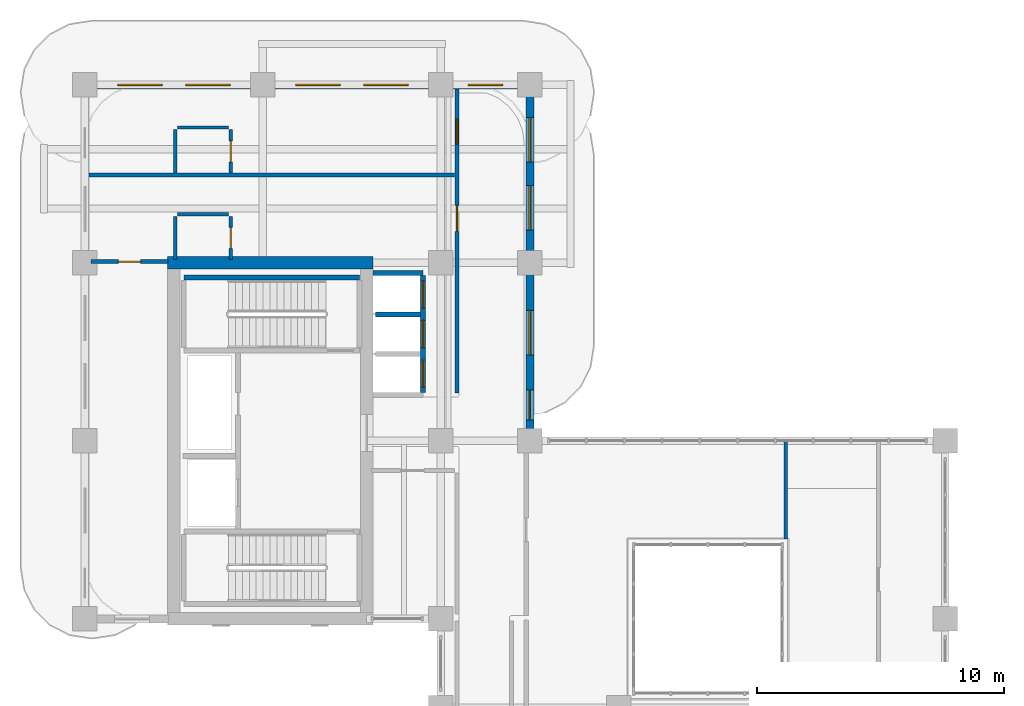
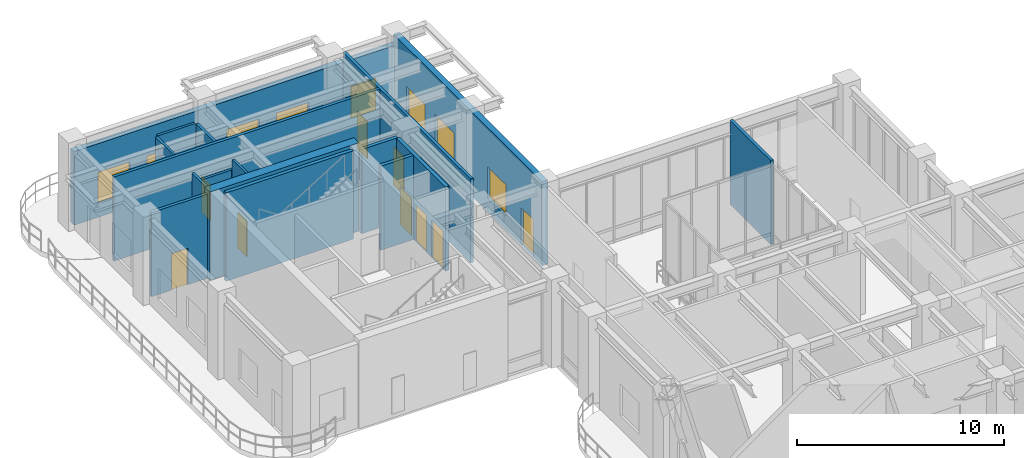
# One storey, part 15 of 21: 17 walls, 9 doors, 8 windows, 17 openings.
"""IFC4 building model written with IfcOpenShell, lengths in metres."""

from ifc_helpers import new_model, si_unit, derived_unit, direction, frame, frame_2d, origin, place, context, subcontext, project, spatial, rectangle, extrude, source, transform, mapped, material, layer, layer_set, type_object, type_shapes, element, fill, save


model = new_model("IFC4")

# Units and contexts
model_context = context("Model", 3, precision=1e-05, world=origin(), true_north=direction((0.0, 1.0)))
body_context = subcontext(model_context, "Body", "Model", "MODEL_VIEW")
ifc_project = project(units=[si_unit("LENGTHUNIT", "METRE"), si_unit("AREAUNIT", "SQUARE_METRE"), si_unit("VOLUMEUNIT", "CUBIC_METRE"), si_unit("PLANEANGLEUNIT", "RADIAN"), si_unit("MASSUNIT", "GRAM", prefix="KILO"), si_unit("THERMODYNAMICTEMPERATUREUNIT", "KELVIN"), si_unit("POWERUNIT", "WATT"), derived_unit("THERMALTRANSMITTANCEUNIT", [(si_unit("POWERUNIT", "WATT"), 1), (si_unit("AREAUNIT", "SQUARE_METRE"), -1), (si_unit("THERMODYNAMICTEMPERATUREUNIT", "KELVIN"), -1)])], contexts=[model_context])

# Site, building, storey
site_placement = place(None, origin())
site = spatial("IfcSite", under=ifc_project, at=site_placement, CompositionType="ELEMENT")
building_placement = place(site_placement, origin())
building = spatial("IfcBuilding", under=site, at=building_placement, Name="Zahravan Archway Hotel and Residences", CompositionType="ELEMENT")
storey_placement = place(building_placement, frame((0.0, 0.0, 145.10009765625)))
storey = spatial("IfcBuildingStorey", under=building, at=storey_placement, Name="L36", CompositionType="ELEMENT", Elevation=145.10009765625)

# Wall
ifc_material_1 = material(Name="Concrete C60/75", Category="concrete")
ifc_layer_1 = layer(ifc_material_1, 0.5, Name="Concrete C60/75", Category="concrete")
ifc_layer_set_1 = layer_set([ifc_layer_1], Name="Concrete C60/75")
wall_type_1 = type_object("IfcWallType", Name="CW-CORE-500", PredefinedType="SHEAR", material=ifc_layer_set_1)
wall_1_placement = place(storey_placement, frame((3.35009765625, 39.60009765625, 0.0), z_axis=(0.0, 0.0, 1.0), x_axis=(1.0, 0.0, 0.0)))
element("IfcWall", 1, at=wall_1_placement, inside=storey, type_object=wall_type_1, Name="L36 Core B Shear N Wall 500 mm", PredefinedType="SHEAR", context=body_context, shape_type="SweptSolid", body=[
    extrude(rectangle(XDim=8.2998046875, YDim=0.5, at=frame_2d((4.14990234375, 0.0))), origin(), (0.0, 0.0, 1.0), 5.199951171875),
])

# Wall, openings, windows
ifc_material_2 = material(Name="Agra Buff Sandstone & Insulated Backup", Category="masonry")
ifc_layer_2 = layer(ifc_material_2, 0.320068359375, Name="Agra Buff Sandstone & Insulated Backup", Category="masonry")
ifc_layer_set_2 = layer_set([ifc_layer_2], Name="Agra Buff Sandstone & Insulated Backup")
wall_type_2 = type_object("IfcWallType", Name="EW-SAND-320", PredefinedType="SOLIDWALL", material=ifc_layer_set_2)
wall_2_placement = place(storey_placement, frame((0.0, 46.800048828125, 0.0), z_axis=(0.0, 0.0, 1.0), x_axis=(1.0, 0.0, 0.0)))
wall_2 = element("IfcWall", 2, at=wall_2_placement, inside=storey, type_object=wall_type_2, Name="L36 Exterior Sandstone Wall WB-N", PredefinedType="SOLIDWALL", context=body_context, shape_type="SweptSolid", body=[
    extrude(rectangle(XDim=18.0, YDim=0.320068359375, at=frame_2d((9.0, 0.0))), origin(), (0.0, 0.0, 1.0), 4.3349609375),
])
opening_1_placement = place(wall_2_placement, frame((1.324951171875, 0.0, 0.800048828125)))
opening_1 = element("IfcOpeningElement", 3, at=opening_1_placement, cuts=wall_2, Name="Opening W-02", PredefinedType="OPENING", context=body_context, shape_type="SweptSolid", body=[
    extrude(rectangle(XDim=1.800048828125, YDim=1.85009765625, at=frame_2d((0.89990234375, 0.925048828125))), frame((0.0, 0.169921875, 0.0), z_axis=(0.0, -1.0, 0.0), x_axis=(1.0, 0.0, 0.0)), (0.0, 0.0, 1.0), 0.340087890625),
])
opening_2_placement = place(wall_2_placement, frame((4.074951171875, 0.0, 0.800048828125)))
opening_2 = element("IfcOpeningElement", 4, at=opening_2_placement, cuts=wall_2, Name="Opening W-02", PredefinedType="OPENING", context=body_context, shape_type="SweptSolid", body=[
    extrude(rectangle(XDim=1.800048828125, YDim=1.85009765625, at=frame_2d((0.89990234375, 0.925048828125))), frame((0.0, 0.169921875, 0.0), z_axis=(0.0, -1.0, 0.0), x_axis=(1.0, 0.0, 0.0)), (0.0, 0.0, 1.0), 0.340087890625),
])
opening_3_placement = place(wall_2_placement, frame((8.52490234375, 0.0, 0.800048828125)))
opening_3 = element("IfcOpeningElement", 5, at=opening_3_placement, cuts=wall_2, Name="Opening W-02", PredefinedType="OPENING", context=body_context, shape_type="SweptSolid", body=[
    extrude(rectangle(XDim=1.800048828125, YDim=1.85009765625, at=frame_2d((0.89990234375, 0.925048828125))), frame((0.0, 0.169921875, 0.0), z_axis=(0.0, -1.0, 0.0), x_axis=(1.0, 0.0, 0.0)), (0.0, 0.0, 1.0), 0.340087890625),
])
opening_4_placement = place(wall_2_placement, frame((11.27490234375, 0.0, 0.800048828125)))
opening_4 = element("IfcOpeningElement", 6, at=opening_4_placement, cuts=wall_2, Name="Opening W-02", PredefinedType="OPENING", context=body_context, shape_type="SweptSolid", body=[
    extrude(rectangle(XDim=1.800048828125, YDim=1.85009765625, at=frame_2d((0.89990234375, 0.925048828125))), frame((0.0, 0.169921875, 0.0), z_axis=(0.0, -1.0, 0.0), x_axis=(1.0, 0.0, 0.0)), (0.0, 0.0, 1.0), 0.340087890625),
])
opening_5_placement = place(wall_2_placement, frame((15.5, 0.0, 0.800048828125)))
opening_5 = element("IfcOpeningElement", 7, at=opening_5_placement, cuts=wall_2, Name="Opening W-03", PredefinedType="OPENING", context=body_context, shape_type="SweptSolid", body=[
    extrude(rectangle(XDim=1.39990234375, YDim=1.85009765625, at=frame_2d((0.699951171875, 0.925048828125))), frame((0.0, 0.169921875, 0.0), z_axis=(0.0, -1.0, 0.0), x_axis=(1.0, 0.0, 0.0)), (0.0, 0.0, 1.0), 0.340087890625),
])
ifc_material_3 = material(Name="Bronze-Anodized Thermal-Break Aluminium & Low-E Glass", Category="aluminium")
window_type_1 = type_object("IfcWindowType", Name="WIN-TWR-1400", PartitioningType="SINGLE_PANEL", PredefinedType="WINDOW", material=ifc_material_3)
shared_shape_1 = source(origin(), body_context, "Body", "SweptSolid", [
    extrude(rectangle(XDim=1.39990234375, YDim=1.85009765625, at=frame_2d((0.699951171875, 0.925048828125))), frame((0.0, 0.030029296875, 0.0), z_axis=(0.0, -1.0, 0.0), x_axis=(1.0, 0.0, 0.0)), (0.0, 0.0, 1.0), 0.06005859375),
])
type_shapes(window_type_1, [shared_shape_1])
window_1_placement = place(opening_5_placement, origin())
window_1 = element("IfcWindow", 8, at=window_1_placement, inside=storey, type_object=window_type_1, Name="L36 Loggia Window 29", OverallHeight=1.85009765625, OverallWidth=1.39990234375, PartitioningType="SINGLE_PANEL", PredefinedType="WINDOW", context=body_context, shape_type="MappedRepresentation", body=[
    mapped(shared_shape_1, transform((0.0, 0.0, 0.0), scale=1.0)),
])
fill(opening_5, window_1)
window_type_2 = type_object("IfcWindowType", Name="WIN-TWR-1800", PartitioningType="DOUBLE_PANEL_VERTICAL", PredefinedType="WINDOW", material=ifc_material_3)
shared_shape_2 = source(origin(), body_context, "Body", "SweptSolid", [
    extrude(rectangle(XDim=1.800048828125, YDim=1.85009765625, at=frame_2d((0.89990234375, 0.925048828125))), frame((0.0, 0.030029296875, 0.0), z_axis=(0.0, -1.0, 0.0), x_axis=(1.0, 0.0, 0.0)), (0.0, 0.0, 1.0), 0.06005859375),
])
type_shapes(window_type_2, [shared_shape_2])
window_2_placement = place(opening_1_placement, origin())
window_2 = element("IfcWindow", 9, at=window_2_placement, inside=storey, type_object=window_type_2, Name="L36 Loggia Window 25", OverallHeight=1.85009765625, OverallWidth=1.800048828125, PartitioningType="DOUBLE_PANEL_VERTICAL", PredefinedType="WINDOW", context=body_context, shape_type="MappedRepresentation", body=[
    mapped(shared_shape_2, transform((0.0, 0.0, 0.0), scale=1.0)),
])
fill(opening_1, window_2)
window_3_placement = place(opening_2_placement, origin())
window_3 = element("IfcWindow", 10, at=window_3_placement, inside=storey, type_object=window_type_2, Name="L36 Loggia Window 26", OverallHeight=1.85009765625, OverallWidth=1.800048828125, PartitioningType="DOUBLE_PANEL_VERTICAL", PredefinedType="WINDOW", context=body_context, shape_type="MappedRepresentation", body=[
    mapped(shared_shape_2, transform((0.0, 0.0, 0.0), scale=1.0)),
])
fill(opening_2, window_3)
window_4_placement = place(opening_3_placement, origin())
window_4 = element("IfcWindow", 11, at=window_4_placement, inside=storey, type_object=window_type_2, Name="L36 Loggia Window 27", OverallHeight=1.85009765625, OverallWidth=1.800048828125, PartitioningType="DOUBLE_PANEL_VERTICAL", PredefinedType="WINDOW", context=body_context, shape_type="MappedRepresentation", body=[
    mapped(shared_shape_2, transform((0.0, 0.0, 0.0), scale=1.0)),
])
fill(opening_3, window_4)
window_5_placement = place(opening_4_placement, origin())
window_5 = element("IfcWindow", 12, at=window_5_placement, inside=storey, type_object=window_type_2, Name="L36 Loggia Window 28", OverallHeight=1.85009765625, OverallWidth=1.800048828125, PartitioningType="DOUBLE_PANEL_VERTICAL", PredefinedType="WINDOW", context=body_context, shape_type="MappedRepresentation", body=[
    mapped(shared_shape_2, transform((0.0, 0.0, 0.0), scale=1.0)),
])
fill(opening_4, window_5)

# Wall, openings, door, windows
wall_3_placement = place(storey_placement, frame((18.0, 32.39990234375, 0.0), z_axis=(0.0, 0.0, 1.0), x_axis=(0.0, 1.0, 0.0)))
wall_3 = element("IfcWall", 13, at=wall_3_placement, inside=storey, type_object=wall_type_2, Name="L36 Exterior Sandstone Wall WB-EU", PredefinedType="SOLIDWALL", context=body_context, shape_type="SweptSolid", body=[
    extrude(rectangle(XDim=14.35009765625, YDim=0.320068359375, at=frame_2d((7.175048828125, 0.0))), origin(), (0.0, 0.0, 1.0), 4.949951171875),
])
opening_6_placement = place(wall_3_placement, frame((0.85009765625, 0.0, 0.0)))
opening_6 = element("IfcOpeningElement", 14, at=opening_6_placement, cuts=wall_3, Name="Opening ED-BL1", PredefinedType="OPENING", context=body_context, shape_type="SweptSolid", body=[
    extrude(rectangle(XDim=1.199951171875, YDim=2.199951171875, at=frame_2d((0.60009765625, 1.10009765625))), frame((0.0, 0.169921875, 0.0), z_axis=(0.0, -1.0, 0.0), x_axis=(1.0, 0.0, 0.0)), (0.0, 0.0, 1.0), 0.340087890625),
])
opening_7_placement = place(wall_3_placement, frame((3.47509765625, 0.0, 0.800048828125)))
opening_7 = element("IfcOpeningElement", 15, at=opening_7_placement, cuts=wall_3, Name="Opening W-02", PredefinedType="OPENING", context=body_context, shape_type="SweptSolid", body=[
    extrude(rectangle(XDim=1.800048828125, YDim=1.85009765625, at=frame_2d((0.89990234375, 0.925048828125))), frame((0.0, 0.169921875, 0.0), z_axis=(0.0, -1.0, 0.0), x_axis=(1.0, 0.0, 0.0)), (0.0, 0.0, 1.0), 0.340087890625),
])
opening_8_placement = place(wall_3_placement, frame((8.52490234375, 0.0, 0.800048828125)))
opening_8 = element("IfcOpeningElement", 16, at=opening_8_placement, cuts=wall_3, Name="Opening W-02", PredefinedType="OPENING", context=body_context, shape_type="SweptSolid", body=[
    extrude(rectangle(XDim=1.800048828125, YDim=1.85009765625, at=frame_2d((0.89990234375, 0.925048828125))), frame((0.0, 0.169921875, 0.0), z_axis=(0.0, -1.0, 0.0), x_axis=(1.0, 0.0, 0.0)), (0.0, 0.0, 1.0), 0.340087890625),
])
opening_9_placement = place(wall_3_placement, frame((11.27490234375, 0.0, 0.800048828125)))
opening_9 = element("IfcOpeningElement", 17, at=opening_9_placement, cuts=wall_3, Name="Opening W-02", PredefinedType="OPENING", context=body_context, shape_type="SweptSolid", body=[
    extrude(rectangle(XDim=1.800048828125, YDim=1.85009765625, at=frame_2d((0.89990234375, 0.925048828125))), frame((0.0, 0.169921875, 0.0), z_axis=(0.0, -1.0, 0.0), x_axis=(1.0, 0.0, 0.0)), (0.0, 0.0, 1.0), 0.340087890625),
])
ifc_material_4 = material(Name="Bronze-Anodized Glazed Aluminium", Category="aluminium")
door_type_1 = type_object("IfcDoorType", Name="ED-BALC-1200", OperationType="SLIDING_TO_LEFT", PredefinedType="DOOR", material=ifc_material_4)
shared_shape_3 = source(origin(), body_context, "Body", "SweptSolid", [
    extrude(rectangle(XDim=1.199951171875, YDim=2.199951171875, at=frame_2d((0.60009765625, 1.10009765625))), frame((0.0, 0.02490234375, 0.0), z_axis=(0.0, -1.0, 0.0), x_axis=(1.0, 0.0, 0.0)), (0.0, 0.0, 1.0), 0.050048828125),
])
type_shapes(door_type_1, [shared_shape_3])
door_1_placement = place(opening_6_placement, origin())
door_1 = element("IfcDoor", 18, at=door_1_placement, inside=storey, type_object=door_type_1, Name="L36 Outdoor Access Sliding Door (SLB-BAL-L36-EB)", OperationType="SLIDING_TO_LEFT", OverallHeight=2.199951171875, OverallWidth=1.199951171875, PredefinedType="DOOR", context=body_context, shape_type="MappedRepresentation", body=[
    mapped(shared_shape_3, transform((0.0, 0.0, 0.0), scale=1.0)),
])
fill(opening_6, door_1)
window_6_placement = place(opening_7_placement, origin())
window_6 = element("IfcWindow", 19, at=window_6_placement, inside=storey, type_object=window_type_2, Name="L36 Loggia Window 30", OverallHeight=1.85009765625, OverallWidth=1.800048828125, PartitioningType="DOUBLE_PANEL_VERTICAL", PredefinedType="WINDOW", context=body_context, shape_type="MappedRepresentation", body=[
    mapped(shared_shape_2, transform((0.0, 0.0, 0.0), scale=1.0)),
])
fill(opening_7, window_6)
window_7_placement = place(opening_8_placement, origin())
window_7 = element("IfcWindow", 20, at=window_7_placement, inside=storey, type_object=window_type_2, Name="L36 Loggia Window 31", OverallHeight=1.85009765625, OverallWidth=1.800048828125, PartitioningType="DOUBLE_PANEL_VERTICAL", PredefinedType="WINDOW", context=body_context, shape_type="MappedRepresentation", body=[
    mapped(shared_shape_2, transform((0.0, 0.0, 0.0), scale=1.0)),
])
fill(opening_8, window_7)
window_8_placement = place(opening_9_placement, origin())
window_8 = element("IfcWindow", 21, at=window_8_placement, inside=storey, type_object=window_type_2, Name="L36 Loggia Window 32", OverallHeight=1.85009765625, OverallWidth=1.800048828125, PartitioningType="DOUBLE_PANEL_VERTICAL", PredefinedType="WINDOW", context=body_context, shape_type="MappedRepresentation", body=[
    mapped(shared_shape_2, transform((0.0, 0.0, 0.0), scale=1.0)),
])
fill(opening_9, window_8)

# Wall, openings, doors
ifc_material_5 = material(Name="Fire-Rated Gypsum & Concrete Block", Category="concrete")
ifc_layer_3 = layer(ifc_material_5, 0.159912109375, Name="Fire-Rated Gypsum & Concrete Block", Category="concrete")
ifc_layer_set_3 = layer_set([ifc_layer_3], Name="Fire-Rated Gypsum & Concrete Block")
wall_type_3 = type_object("IfcWallType", Name="PW-CORR-160", PredefinedType="PARTITIONING", material=ifc_layer_set_3)
wall_4_placement = place(storey_placement, frame((15.050048828125, 34.340087890625, 0.0), z_axis=(0.0, 0.0, 1.0), x_axis=(0.0, 1.0, 0.0)))
wall_4 = element("IfcWall", 22, at=wall_4_placement, inside=storey, type_object=wall_type_3, Name="L36 Partition WBN-C", PredefinedType="PARTITIONING", context=body_context, shape_type="SweptSolid", body=[
    extrude(rectangle(XDim=12.2919921875, YDim=0.159912109375, at=frame_2d((6.14599609375, 0.0))), origin(), (0.0, 0.0, 1.0), 4.949951171875),
])
opening_10_placement = place(wall_4_placement, frame((6.534912109375, 0.0, 0.0)))
opening_10 = element("IfcOpeningElement", 23, at=opening_10_placement, cuts=wall_4, Name="Opening D-U1", PredefinedType="OPENING", context=body_context, shape_type="SweptSolid", body=[
    extrude(rectangle(XDim=1.050048828125, YDim=2.25, at=frame_2d((0.52490234375, 1.125))), frame((0.0, 0.08984375, 0.0), z_axis=(0.0, -1.0, 0.0), x_axis=(1.0, 0.0, 0.0)), (0.0, 0.0, 1.0), 0.179931640625),
])
opening_11_placement = place(wall_4_placement, frame((10.06005859375, 0.0, 0.0)))
opening_11 = element("IfcOpeningElement", 24, at=opening_11_placement, cuts=wall_4, Name="Opening D-U2", PredefinedType="OPENING", context=body_context, shape_type="SweptSolid", body=[
    extrude(rectangle(XDim=1.0, YDim=2.199951171875, at=frame_2d((0.5, 1.10009765625))), frame((0.0, 0.08984375, 0.0), z_axis=(0.0, -1.0, 0.0), x_axis=(1.0, 0.0, 0.0)), (0.0, 0.0, 1.0), 0.179931640625),
])
ifc_material_6 = material(Name="Hardwood Veneer Timber", Category="wood")
door_type_2 = type_object("IfcDoorType", Name="ID-UNIT-1050", OperationType="NOTDEFINED", PredefinedType="DOOR", material=ifc_material_6)
shared_shape_4 = source(origin(), body_context, "Body", "SweptSolid", [
    extrude(rectangle(XDim=1.050048828125, YDim=2.25, at=frame_2d((0.52490234375, 1.125))), frame((0.0, 0.02490234375, 0.0), z_axis=(0.0, -1.0, 0.0), x_axis=(1.0, 0.0, 0.0)), (0.0, 0.0, 1.0), 0.050048828125),
])
type_shapes(door_type_2, [shared_shape_4])
door_2_placement = place(opening_10_placement, origin())
door_2 = element("IfcDoor", 25, at=door_2_placement, inside=storey, type_object=door_type_2, Name="L36 Hotel Guestroom 76 Entrance Door", OperationType="SINGLE_SWING_RIGHT", OverallHeight=2.25, OverallWidth=1.050048828125, PredefinedType="DOOR", context=body_context, shape_type="MappedRepresentation", body=[
    mapped(shared_shape_4, transform((0.0, 0.0, 0.0), scale=1.0)),
])
fill(opening_10, door_2)
door_type_3 = type_object("IfcDoorType", Name="ID-UNIT-1000", OperationType="NOTDEFINED", PredefinedType="DOOR", material=ifc_material_6)
shared_shape_5 = source(origin(), body_context, "Body", "SweptSolid", [
    extrude(rectangle(XDim=1.0, YDim=2.199951171875, at=frame_2d((0.5, 1.10009765625))), frame((0.0, 0.02490234375, 0.0), z_axis=(0.0, -1.0, 0.0), x_axis=(1.0, 0.0, 0.0)), (0.0, 0.0, 1.0), 0.050048828125),
])
type_shapes(door_type_3, [shared_shape_5])
door_3_placement = place(opening_11_placement, origin())
door_3 = element("IfcDoor", 26, at=door_3_placement, inside=storey, type_object=door_type_3, Name="L36 Hotel Guestroom 77 Entrance Door", OperationType="SINGLE_SWING_LEFT", OverallHeight=2.199951171875, OverallWidth=1.0, PredefinedType="DOOR", context=body_context, shape_type="MappedRepresentation", body=[
    mapped(shared_shape_5, transform((0.0, 0.0, 0.0), scale=1.0)),
])
fill(opening_11, door_3)

# Walls
wall_5_placement = place(storey_placement, frame((28.35009765625, 28.43994140625, 0.0), z_axis=(0.0, 0.0, 1.0), x_axis=(0.0, 1.0, 0.0)))
element("IfcWall", 27, at=wall_5_placement, inside=storey, type_object=wall_type_3, Name="L36 Partition ATR-NWE", PredefinedType="PARTITIONING", context=body_context, shape_type="SweptSolid", body=[
    extrude(rectangle(XDim=3.93212890625, YDim=0.159912109375, at=frame_2d((1.966064453125, 0.0))), origin(), (0.0, 0.0, 1.0), 4.949951171875),
])
ifc_layer_4 = layer(ifc_material_5, 0.199951171875, Name="Fire-Rated Gypsum & Concrete Block", Category="concrete")
ifc_layer_set_4 = layer_set([ifc_layer_4], Name="Fire-Rated Gypsum & Concrete Block")
wall_type_4 = type_object("IfcWallType", Name="PW-SHAFT-200", PredefinedType="PARTITIONING", material=ifc_layer_set_4)
wall_6_placement = place(storey_placement, frame((11.659912109375, 39.18994140625, 0.0), z_axis=(0.0, 0.0, 1.0), x_axis=(1.0, 0.0, 0.0)))
element("IfcWall", 28, at=wall_6_placement, inside=storey, type_object=wall_type_4, Name="L36 Partition B2-N", PredefinedType="PARTITIONING", context=body_context, shape_type="SweptSolid", body=[
    extrude(rectangle(XDim=2.010009765625, YDim=0.199951171875, at=frame_2d((1.0048828125, 0.0))), origin(), (0.0, 0.0, 1.0), 4.949951171875),
])

# Wall, openings, doors
wall_7_placement = place(storey_placement, frame((13.679931640625, 34.360107421875, 0.0), z_axis=(0.0, 0.0, 1.0), x_axis=(0.0, 1.0, 0.0)))
wall_7 = element("IfcWall", 29, at=wall_7_placement, inside=storey, type_object=wall_type_4, Name="L36 Partition B2-E", PredefinedType="PARTITIONING", context=body_context, shape_type="SweptSolid", body=[
    extrude(rectangle(XDim=4.719970703125, YDim=0.199951171875, at=frame_2d((2.35986328125, 0.0))), origin(), (0.0, 0.0, 1.0), 4.949951171875),
])
opening_12_placement = place(wall_7_placement, frame((0.2099609375, 0.0, 0.0)))
opening_12 = element("IfcOpeningElement", 30, at=opening_12_placement, cuts=wall_7, Name="Opening LD", PredefinedType="OPENING", context=body_context, shape_type="SweptSolid", body=[
    extrude(rectangle(XDim=1.10009765625, YDim=2.199951171875, at=frame_2d((0.550048828125, 1.10009765625))), frame((0.0, 0.10986328125, 0.0), z_axis=(0.0, -1.0, 0.0), x_axis=(1.0, 0.0, 0.0)), (0.0, 0.0, 1.0), 0.219970703125),
])
opening_13_placement = place(wall_7_placement, frame((1.81005859375, 0.0, 0.0)))
opening_13 = element("IfcOpeningElement", 31, at=opening_13_placement, cuts=wall_7, Name="Opening LD", PredefinedType="OPENING", context=body_context, shape_type="SweptSolid", body=[
    extrude(rectangle(XDim=1.10009765625, YDim=2.199951171875, at=frame_2d((0.550048828125, 1.10009765625))), frame((0.0, 0.10986328125, 0.0), z_axis=(0.0, -1.0, 0.0), x_axis=(1.0, 0.0, 0.0)), (0.0, 0.0, 1.0), 0.219970703125),
])
opening_14_placement = place(wall_7_placement, frame((3.409912109375, 0.0, 0.0)))
opening_14 = element("IfcOpeningElement", 32, at=opening_14_placement, cuts=wall_7, Name="Opening LD", PredefinedType="OPENING", context=body_context, shape_type="SweptSolid", body=[
    extrude(rectangle(XDim=1.10009765625, YDim=2.199951171875, at=frame_2d((0.550048828125, 1.10009765625))), frame((0.0, 0.10986328125, 0.0), z_axis=(0.0, -1.0, 0.0), x_axis=(1.0, 0.0, 0.0)), (0.0, 0.0, 1.0), 0.219970703125),
])
ifc_material_7 = material(Name="Brushed Stainless Steel", Category="steel")
door_type_4 = type_object("IfcDoorType", Name="DR-LIFT-LD", OperationType="SLIDING_TO_LEFT", PredefinedType="DOOR", material=ifc_material_7)
shared_shape_6 = source(origin(), body_context, "Body", "SweptSolid", [
    extrude(rectangle(XDim=1.10009765625, YDim=2.199951171875, at=frame_2d((0.550048828125, 1.10009765625))), frame((0.0, 0.02490234375, 0.0), z_axis=(0.0, -1.0, 0.0), x_axis=(1.0, 0.0, 0.0)), (0.0, 0.0, 1.0), 0.050048828125),
])
type_shapes(door_type_4, [shared_shape_6])
door_4_placement = place(opening_12_placement, origin())
door_4 = element("IfcDoor", 33, at=door_4_placement, inside=storey, type_object=door_type_4, Name="L36 Lift LP-4 Sliding Landing Door", OperationType="SLIDING_TO_LEFT", OverallHeight=2.199951171875, OverallWidth=1.10009765625, PredefinedType="DOOR", context=body_context, shape_type="MappedRepresentation", body=[
    mapped(shared_shape_6, transform((0.0, 0.0, 0.0), scale=1.0)),
])
fill(opening_12, door_4)
door_5_placement = place(opening_13_placement, origin())
door_5 = element("IfcDoor", 34, at=door_5_placement, inside=storey, type_object=door_type_4, Name="L36 Lift LP-5 Sliding Landing Door", OperationType="SLIDING_TO_LEFT", OverallHeight=2.199951171875, OverallWidth=1.10009765625, PredefinedType="DOOR", context=body_context, shape_type="MappedRepresentation", body=[
    mapped(shared_shape_6, transform((0.0, 0.0, 0.0), scale=1.0)),
])
fill(opening_13, door_5)
door_6_placement = place(opening_14_placement, origin())
door_6 = element("IfcDoor", 35, at=door_6_placement, inside=storey, type_object=door_type_4, Name="L36 Lift LP-6 Sliding Landing Door", OperationType="SLIDING_TO_LEFT", OverallHeight=2.199951171875, OverallWidth=1.10009765625, PredefinedType="DOOR", context=body_context, shape_type="MappedRepresentation", body=[
    mapped(shared_shape_6, transform((0.0, 0.0, 0.0), scale=1.0)),
])
fill(opening_14, door_6)

# Wall
wall_8_placement = place(storey_placement, frame((11.760009765625, 37.52001953125, 0.0), z_axis=(0.0, 0.0, 1.0), x_axis=(1.0, 0.0, 0.0)))
element("IfcWall", 36, at=wall_8_placement, inside=storey, type_object=wall_type_4, Name="L36 Partition B2-D", PredefinedType="PARTITIONING", context=body_context, shape_type="SweptSolid", body=[
    extrude(rectangle(XDim=1.81005859375, YDim=0.199951171875, at=frame_2d((0.905029296875, 0.0))), origin(), (0.0, 0.0, 1.0), 4.949951171875),
])

# Wall, opening, door
ifc_material_8 = material(Name="Acoustic Stud Partition")
ifc_layer_5 = layer(ifc_material_8, 0.169921875, Name="Acoustic Stud Partition")
ifc_layer_set_5 = layer_set([ifc_layer_5], Name="Acoustic Stud Partition")
wall_type_5 = type_object("IfcWallType", Name="PW-UNIT-170", PredefinedType="PARTITIONING", material=ifc_layer_set_5)
wall_9_placement = place(storey_placement, frame((0.239990234375, 39.64990234375, 0.0), z_axis=(0.0, 0.0, 1.0), x_axis=(1.0, 0.0, 0.0)))
wall_9 = element("IfcWall", 37, at=wall_9_placement, inside=storey, type_object=wall_type_5, Name="L36 Partition WBW-N", PredefinedType="PARTITIONING", context=body_context, shape_type="SweptSolid", body=[
    extrude(rectangle(XDim=3.1201171875, YDim=0.169921875, at=frame_2d((1.56005859375, 0.0))), origin(), (0.0, 0.0, 1.0), 4.949951171875),
])
opening_15_placement = place(wall_9_placement, frame((1.110107421875, 0.0, 0.0)))
opening_15 = element("IfcOpeningElement", 38, at=opening_15_placement, cuts=wall_9, Name="Opening D-I2", PredefinedType="OPENING", context=body_context, shape_type="SweptSolid", body=[
    extrude(rectangle(XDim=0.89990234375, YDim=2.14990234375, at=frame_2d((0.449951171875, 1.074951171875))), frame((0.0, 0.094970703125, 0.0), z_axis=(0.0, -1.0, 0.0), x_axis=(1.0, 0.0, 0.0)), (0.0, 0.0, 1.0), 0.18994140625),
])
door_type_5 = type_object("IfcDoorType", Name="ID-INT-900", OperationType="NOTDEFINED", PredefinedType="DOOR", material=ifc_material_6)
shared_shape_7 = source(origin(), body_context, "Body", "SweptSolid", [
    extrude(rectangle(XDim=0.89990234375, YDim=2.14990234375, at=frame_2d((0.449951171875, 1.074951171875))), frame((0.0, 0.02490234375, 0.0), z_axis=(0.0, -1.0, 0.0), x_axis=(1.0, 0.0, 0.0)), (0.0, 0.0, 1.0), 0.050048828125),
])
type_shapes(door_type_5, [shared_shape_7])
door_7_placement = place(opening_15_placement, origin())
door_7 = element("IfcDoor", 39, at=door_7_placement, inside=storey, type_object=door_type_5, Name="L36 West Loggia Salon Door", OperationType="SINGLE_SWING_RIGHT", OverallHeight=2.14990234375, OverallWidth=0.89990234375, PredefinedType="DOOR", context=body_context, shape_type="MappedRepresentation", body=[
    mapped(shared_shape_7, transform((0.0, 0.0, 0.0), scale=1.0)),
])
fill(opening_15, door_7)

# Walls
wall_10_placement = place(storey_placement, frame((0.16796875, 43.14990234375, 0.0), z_axis=(0.0, 0.0, 1.0), x_axis=(1.0, 0.0, 0.0)))
element("IfcWall", 40, at=wall_10_placement, inside=storey, type_object=wall_type_5, Name="L36 Partition WBN-M0", PredefinedType="PARTITIONING", context=body_context, shape_type="SweptSolid", body=[
    extrude(rectangle(XDim=14.7919921875, YDim=0.169921875, at=frame_2d((7.39599609375, 0.0))), origin(), (0.0, 0.0, 1.0), 4.949951171875),
])
ifc_material_9 = material(Name="Moisture-Resistant Blockwork", Category="masonry")
ifc_layer_6 = layer(ifc_material_9, 0.139892578125, Name="Moisture-Resistant Blockwork", Category="masonry")
ifc_layer_set_6 = layer_set([ifc_layer_6], Name="Moisture-Resistant Blockwork")
wall_type_6 = type_object("IfcWallType", Name="PW-WET-140", PredefinedType="PARTITIONING", material=ifc_layer_set_6)
wall_11_placement = place(storey_placement, frame((3.64990234375, 39.739990234375, 0.0), z_axis=(0.0, 0.0, 1.0), x_axis=(0.0, 1.0, 0.0)))
element("IfcWall", 41, at=wall_11_placement, inside=storey, type_object=wall_type_6, Name="L36 Partition HKB-VL76", PredefinedType="PARTITIONING", context=body_context, shape_type="SweptSolid", body=[
    extrude(rectangle(XDim=1.7451171875, YDim=0.139892578125, at=frame_2d((0.87255859375, 0.0))), origin(), (0.0, 0.0, 1.0), 4.949951171875),
])
wall_12_placement = place(storey_placement, frame((3.739990234375, 41.574951171875, 0.0), z_axis=(0.0, 0.0, 1.0), x_axis=(1.0, 0.0, 0.0)))
element("IfcWall", 42, at=wall_12_placement, inside=storey, type_object=wall_type_6, Name="L36 Partition HKB-H76", PredefinedType="PARTITIONING", context=body_context, shape_type="SweptSolid", body=[
    extrude(rectangle(XDim=2.070068359375, YDim=0.139892578125, at=frame_2d((1.03515625, 0.0))), origin(), (0.0, 0.0, 1.0), 4.3349609375),
])

# Wall, opening, door
wall_13_placement = place(storey_placement, frame((5.89990234375, 39.739990234375, 0.0), z_axis=(0.0, 0.0, 1.0), x_axis=(0.0, 1.0, 0.0)))
wall_13 = element("IfcWall", 43, at=wall_13_placement, inside=storey, type_object=wall_type_6, Name="L36 Partition HKB-V76", PredefinedType="PARTITIONING", context=body_context, shape_type="SweptSolid", body=[
    extrude(rectangle(XDim=1.7451171875, YDim=0.139892578125, at=frame_2d((0.87255859375, 0.0))), origin(), (0.0, 0.0, 1.0), 4.949951171875),
])
opening_16_placement = place(wall_13_placement, frame((0.447509765625, 0.0, 0.0)))
opening_16 = element("IfcOpeningElement", 44, at=opening_16_placement, cuts=wall_13, Name="Opening D-B1", PredefinedType="OPENING", context=body_context, shape_type="SweptSolid", body=[
    extrude(rectangle(XDim=0.85009765625, YDim=2.10009765625, at=frame_2d((0.425048828125, 1.050048828125))), frame((0.0, 0.080078125, 0.0), z_axis=(0.0, -1.0, 0.0), x_axis=(1.0, 0.0, 0.0)), (0.0, 0.0, 1.0), 0.159912109375),
])
door_type_6 = type_object("IfcDoorType", Name="ID-BATH-850", OperationType="NOTDEFINED", PredefinedType="DOOR", material=ifc_material_6)
shared_shape_8 = source(origin(), body_context, "Body", "SweptSolid", [
    extrude(rectangle(XDim=0.85009765625, YDim=2.10009765625, at=frame_2d((0.425048828125, 1.050048828125))), frame((0.0, 0.02490234375, 0.0), z_axis=(0.0, -1.0, 0.0), x_axis=(1.0, 0.0, 0.0)), (0.0, 0.0, 1.0), 0.050048828125),
])
type_shapes(door_type_6, [shared_shape_8])
door_8_placement = place(opening_16_placement, origin())
door_8 = element("IfcDoor", 45, at=door_8_placement, inside=storey, type_object=door_type_6, Name="L36 Guestroom 76 En-Suite Door", OperationType="SINGLE_SWING_RIGHT", OverallHeight=2.10009765625, OverallWidth=0.85009765625, PredefinedType="DOOR", context=body_context, shape_type="MappedRepresentation", body=[
    mapped(shared_shape_8, transform((0.0, 0.0, 0.0), scale=1.0)),
])
fill(opening_16, door_8)

# Walls
wall_14_placement = place(storey_placement, frame((3.64990234375, 43.239990234375, 0.0), z_axis=(0.0, 0.0, 1.0), x_axis=(0.0, 1.0, 0.0)))
element("IfcWall", 46, at=wall_14_placement, inside=storey, type_object=wall_type_6, Name="L36 Partition HKB-VL77", PredefinedType="PARTITIONING", context=body_context, shape_type="SweptSolid", body=[
    extrude(rectangle(XDim=1.7451171875, YDim=0.139892578125, at=frame_2d((0.87255859375, 0.0))), origin(), (0.0, 0.0, 1.0), 4.949951171875),
])
wall_15_placement = place(storey_placement, frame((3.739990234375, 45.074951171875, 0.0), z_axis=(0.0, 0.0, 1.0), x_axis=(1.0, 0.0, 0.0)))
element("IfcWall", 47, at=wall_15_placement, inside=storey, type_object=wall_type_6, Name="L36 Partition HKB-H77", PredefinedType="PARTITIONING", context=body_context, shape_type="SweptSolid", body=[
    extrude(rectangle(XDim=2.070068359375, YDim=0.139892578125, at=frame_2d((1.03515625, 0.0))), origin(), (0.0, 0.0, 1.0), 4.949951171875),
])

# Wall, opening, door
wall_16_placement = place(storey_placement, frame((5.89990234375, 43.239990234375, 0.0), z_axis=(0.0, 0.0, 1.0), x_axis=(0.0, 1.0, 0.0)))
wall_16 = element("IfcWall", 48, at=wall_16_placement, inside=storey, type_object=wall_type_6, Name="L36 Partition HKB-V77", PredefinedType="PARTITIONING", context=body_context, shape_type="SweptSolid", body=[
    extrude(rectangle(XDim=1.7451171875, YDim=0.139892578125, at=frame_2d((0.87255859375, 0.0))), origin(), (0.0, 0.0, 1.0), 4.949951171875),
])
opening_17_placement = place(wall_16_placement, frame((0.447509765625, 0.0, 0.0)))
opening_17 = element("IfcOpeningElement", 49, at=opening_17_placement, cuts=wall_16, Name="Opening D-B1", PredefinedType="OPENING", context=body_context, shape_type="SweptSolid", body=[
    extrude(rectangle(XDim=0.85009765625, YDim=2.10009765625, at=frame_2d((0.425048828125, 1.050048828125))), frame((0.0, 0.080078125, 0.0), z_axis=(0.0, -1.0, 0.0), x_axis=(1.0, 0.0, 0.0)), (0.0, 0.0, 1.0), 0.159912109375),
])
door_9_placement = place(opening_17_placement, origin())
door_9 = element("IfcDoor", 50, at=door_9_placement, inside=storey, type_object=door_type_6, Name="L36 Guestroom 77 En-Suite Door", OperationType="SINGLE_SWING_RIGHT", OverallHeight=2.10009765625, OverallWidth=0.85009765625, PredefinedType="DOOR", context=body_context, shape_type="MappedRepresentation", body=[
    mapped(shared_shape_8, transform((0.0, 0.0, 0.0), scale=1.0)),
])
fill(opening_17, door_9)

# Wall
ifc_material_10 = material(Name="Concrete C50/60", Category="concrete")
ifc_layer_7 = layer(ifc_material_10, 0.199951171875, Name="Concrete C50/60", Category="concrete")
ifc_layer_set_7 = layer_set([ifc_layer_7], Name="Concrete C50/60")
wall_type_7 = type_object("IfcWallType", Name="SW-STAIR-200", PredefinedType="SHEAR", material=ifc_layer_set_7)
wall_17_placement = place(storey_placement, frame((4.0, 39.0, 0.0), z_axis=(0.0, 0.0, 1.0), x_axis=(1.0, 0.0, 0.0)))
element("IfcWall", 51, at=wall_17_placement, inside=storey, type_object=wall_type_7, Name="L36 Stairwell RC Wall CB-SB2N", PredefinedType="SHEAR", context=body_context, shape_type="SweptSolid", body=[
    extrude(rectangle(XDim=7.10009765625, YDim=0.199951171875, at=frame_2d((3.550048828125, 0.0))), origin(), (0.0, 0.0, 1.0), 5.199951171875),
])

save(model, "model.ifc")
